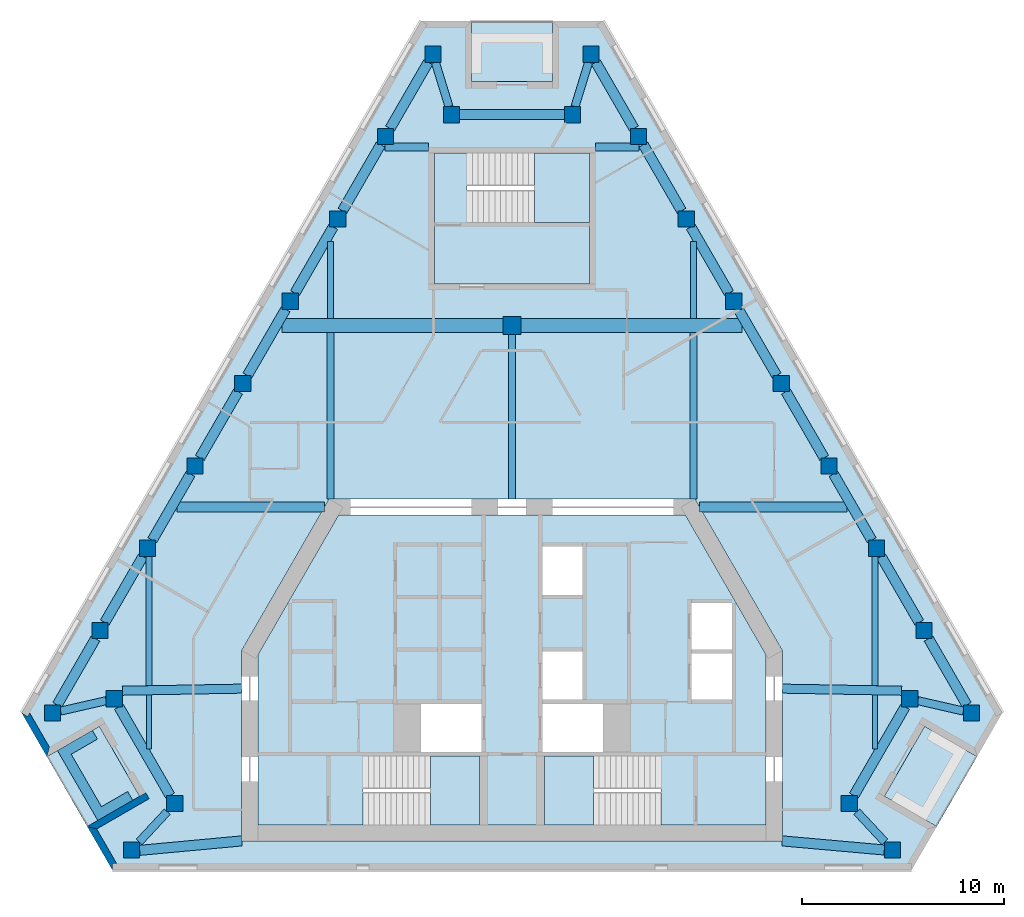
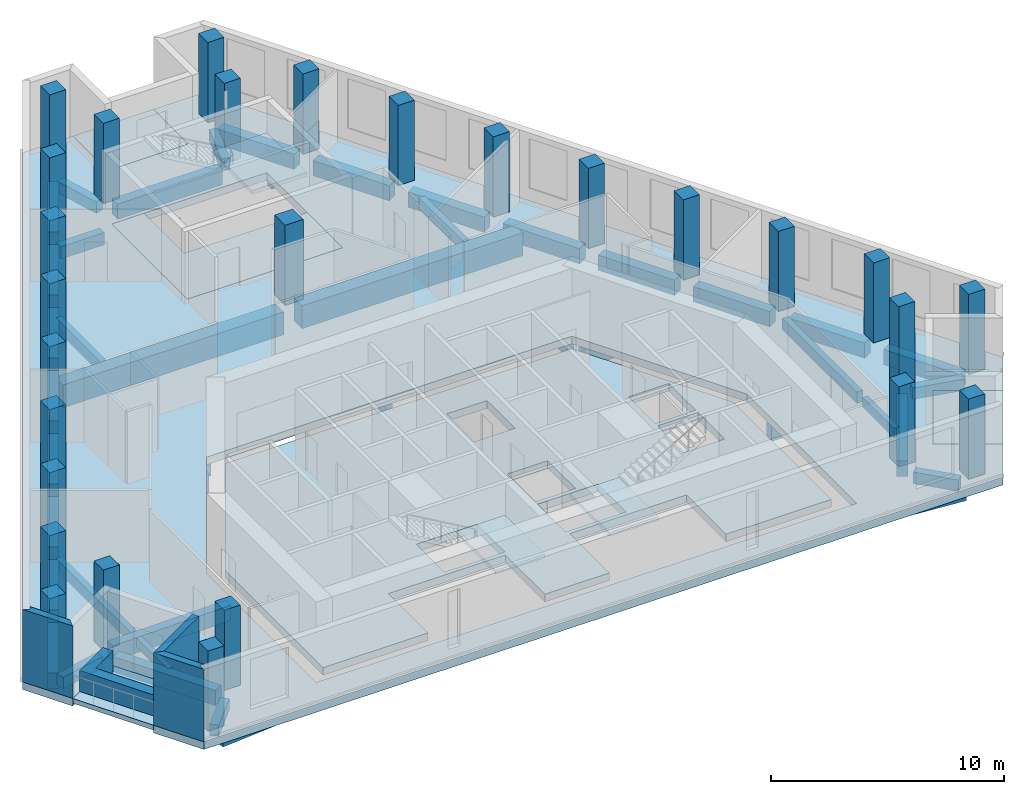
# One storey, part 1 of 8: 44 beams, 27 columns, 9 slabs, 4 walls, 3 elements without a shape of their own.
"""IFC4 building model written with IfcOpenShell, lengths in metres."""

from ifc_helpers import new_model, si_unit, direction, frame, origin, origin_2d, place, context, subcontext, project, spatial, polyline, rectangle, outline, extrude, material, layer, layer_set, material_profile, profile_set, type_object, element, aggregate, save


model = new_model("IFC4")

# Units and contexts
model_context = context("Model", 3, precision=1e-05, world=origin(), true_north=direction((0.0, 1.0)))
body_context = subcontext(model_context, "Body", "Model", "MODEL_VIEW")
ifc_project = project(units=[si_unit("LENGTHUNIT", "METRE"), si_unit("AREAUNIT", "SQUARE_METRE"), si_unit("VOLUMEUNIT", "CUBIC_METRE"), si_unit("PLANEANGLEUNIT", "RADIAN"), si_unit("MASSUNIT", "GRAM", prefix="KILO")], contexts=[model_context])

# Site, building, storey
site_placement = place(None, origin())
site = spatial("IfcSite", under=ifc_project, at=site_placement, CompositionType="ELEMENT")
building_placement = place(site_placement, origin())
building = spatial("IfcBuilding", under=site, at=building_placement, Name="Fogline Exchange Tower", CompositionType="ELEMENT")
storey_placement = place(building_placement, frame((0.0, 0.0, 322.5)))
storey = spatial("IfcBuildingStorey", under=building, at=storey_placement, Name="L73", CompositionType="ELEMENT", Elevation=322.5)

# Columns
ifc_material_1 = material(Name="Concrete C60", Category="concrete")
ifc_material_profile_1 = material_profile(ifc_material_1, rectangle(XDim=0.89990234375, YDim=0.89990234375, at=origin_2d()), Name="RC 900x900")
ifc_profile_set_1 = profile_set([ifc_material_profile_1], Name="Concrete C60")
column_type_1 = type_object("IfcColumnType", Name="C06", PredefinedType="COLUMN", material=ifc_profile_set_1)
column_placement = place(storey_placement, frame((0.0, 27.0, 0.0), z_axis=(0.0, 0.0, 1.0), x_axis=(1.0, 0.0, 0.0)))
element("IfcColumn", 1, at=column_placement, inside=storey, type_object=column_type_1, Name="IC-0-27", PredefinedType="COLUMN", context=body_context, shape_type="SweptSolid", body=[
    extrude(rectangle(XDim=0.89990234375, YDim=0.89990234375, at=origin_2d()), origin(), (0.0, 0.0, 1.0), 4.199951171875),
])
ifc_material_profile_2 = material_profile(ifc_material_1, rectangle(XDim=0.800048828125, YDim=0.800048828125, at=origin_2d()), Name="RC 800x800")
ifc_profile_set_2 = profile_set([ifc_material_profile_2], Name="Concrete C60")
column_type_2 = type_object("IfcColumnType", Name="C07", PredefinedType="COLUMN", material=ifc_profile_set_2)
for number, where, z_axis, x_axis, name in (
    (2, (-22.7802734375, 7.794189453125, 0.0), (0.0, 0.0, 1.0), (1.0, 0.0, 0.0), "SW-a"),
    (3, (-19.720947265625, 8.4951171875, 0.0), (0.0, 0.0, 1.0), (1.0, 0.0, 0.0), "SW-p4"),
    (4, (-16.720947265625, 3.299072265625, 0.0), (0.0, 0.0, 1.0), (1.0, 0.0, 0.0), "SW-p3"),
    (5, (-18.857666015625, 1.0, 0.0), (0.0, 0.0, 1.0), (1.0, 0.0, 0.0), "SW-b"),
    (6, (18.857666015625, 1.0, 0.0), (0.0, 0.0, 1.0), (1.0, 0.0, 0.0), "SE-a"),
    (7, (16.720947265625, 3.299072265625, 0.0), (0.0, 0.0, 1.0), (1.0, 0.0, 0.0), "SE-p4"),
    (8, (19.720947265625, 8.4951171875, 0.0), (0.0, 0.0, 1.0), (1.0, 0.0, 0.0), "SE-p3"),
    (9, (22.7802734375, 7.794189453125, 0.0), (0.0, 0.0, 1.0), (1.0, 0.0, 0.0), "SE-b"),
    (10, (20.423095703125, 11.876953125, 0.0), (0.0, 0.0, 1.0), (1.0, 0.0, 0.0), "E1"),
    (11, (18.06591796875, 15.959716796875, 0.0), (0.0, 0.0, 1.0), (1.0, 0.0, 0.0), "E2"),
    (12, (15.708740234375, 20.04248046875, 0.0), (0.0, 0.0, 1.0), (1.0, 0.0, 0.0), "E3"),
    (13, (13.3515625, 24.12548828125, 0.0), (0.0, 0.0, 1.0), (1.0, 0.0, 0.0), "E4"),
    (14, (10.994384765625, 28.208251953125, 0.0), (0.0, 0.0, 1.0), (1.0, 0.0, 0.0), "E5"),
    (15, (8.63720703125, 32.291015625, 0.0), (0.0, 0.0, 1.0), (1.0, 0.0, 0.0), "E6"),
    (16, (6.27978515625, 36.373779296875, 0.0), (0.0, 0.0, 1.0), (1.0, 0.0, 0.0), "E7"),
    (17, (3.922607421875, 40.456787109375, 0.0), (0.0, 0.0, 1.0), (1.0, 0.0, 0.0), "N-a"),
    (18, (3.0, 37.456787109375, 0.0), (0.0, 0.0, 1.0), (1.0, 0.0, 0.0), "N-p4"),
    (19, (-3.0, 37.456787109375, 0.0), (0.0, 0.0, 1.0), (1.0, 0.0, 0.0), "N-p3"),
    (20, (-3.922607421875, 40.456787109375, 0.0), (0.0, 0.0, 1.0), (1.0, 0.0, 0.0), "N-b"),
    (21, (-6.27978515625, 36.373779296875, 0.0), (0.0, 0.0, 1.0), (1.0, 0.0, 0.0), "W1"),
    (22, (-8.63720703125, 32.291015625, 0.0), (0.0, 0.0, 1.0), (1.0, 0.0, 0.0), "W2"),
    (23, (-10.994384765625, 28.208251953125, 0.0), (0.0, 0.0, 1.0), (1.0, 0.0, 0.0), "W3"),
    (24, (-13.3515625, 24.12548828125, 0.0), (0.0, 0.0, 1.0), (1.0, 0.0, 0.0), "W4"),
    (25, (-15.708740234375, 20.04248046875, 0.0), (0.0, 0.0, 1.0), (1.0, 0.0, 0.0), "W5"),
    (26, (-18.06591796875, 15.959716796875, 0.0), (0.0, 0.0, 1.0), (1.0, 0.0, 0.0), "W6"),
    (27, (-20.423095703125, 11.876953125, 0.0), (0.0, 0.0, 1.0), (1.0, 0.0, 0.0), "W7"),
):
    element("IfcColumn", number, at=place(storey_placement, frame(where, z_axis=z_axis, x_axis=x_axis)), inside=storey, type_object=column_type_2, Name=name, PredefinedType="COLUMN", context=body_context, shape_type="SweptSolid", body=[
        extrude(rectangle(XDim=0.800048828125, YDim=0.800048828125, at=origin_2d()), origin(), (0.0, 0.0, 1.0), 4.199951171875),
    ])

# Beams
ifc_material_2 = material(Name="Concrete C40", Category="concrete")
ifc_material_profile_3 = material_profile(ifc_material_2, rectangle(XDim=0.300048828125, YDim=0.60009765625, at=origin_2d()), Name="RC 300x600")
ifc_profile_set_3 = profile_set([ifc_material_profile_3], Name="Concrete C40")
beam_type_1 = type_object("IfcBeamType", Name="B06", PredefinedType="BEAM", material=ifc_profile_set_3)
beam_1_placement = place(storey_placement, frame((-18.0, 9.1435546875, -0.699951171875), z_axis=(0.0, 1.0, 0.0), x_axis=(-1.0, 0.0, 0.0)))
element("IfcBeam", 28, at=beam_1_placement, inside=storey, type_object=beam_type_1, Name="SB002", PredefinedType="BEAM", context=body_context, shape_type="SweptSolid", body=[
    extrude(rectangle(XDim=0.300048828125, YDim=0.60009765625, at=origin_2d()), origin(), (0.0, 0.0, 1.0), 6.416259765625),
])
for number, where, z_axis, x_axis, name in (
    (29, (-9.0, 27.35009765625, -0.699951171875), (0.0, 1.0, 0.0), (-1.0, 0.0, 0.0), "SB004"),
    (30, (9.0, 27.35009765625, -0.699951171875), (0.0, 1.0, 0.0), (-1.0, 0.0, 0.0), "SB007"),
):
    element("IfcBeam", number, at=place(storey_placement, frame(where, z_axis=z_axis, x_axis=x_axis)), inside=storey, type_object=beam_type_1, Name=name, PredefinedType="BEAM", context=body_context, shape_type="SweptSolid", body=[
        extrude(rectangle(XDim=0.300048828125, YDim=0.60009765625, at=origin_2d()), origin(), (0.0, 0.0, 1.0), 3.812255859375),
    ])
beam_2_placement = place(storey_placement, frame((18.0, 9.1435546875, -0.699951171875), z_axis=(0.0, 1.0, 0.0), x_axis=(-1.0, 0.0, 0.0)))
element("IfcBeam", 31, at=beam_2_placement, inside=storey, type_object=beam_type_1, Name="SB009", PredefinedType="BEAM", context=body_context, shape_type="SweptSolid", body=[
    extrude(rectangle(XDim=0.300048828125, YDim=0.60009765625, at=origin_2d()), origin(), (0.0, 0.0, 1.0), 6.416259765625),
])
ifc_material_profile_4 = material_profile(ifc_material_2, rectangle(XDim=0.25, YDim=0.5, at=origin_2d()), Name="RC 250x500")
ifc_profile_set_4 = profile_set([ifc_material_profile_4], Name="Concrete C40")
beam_type_2 = type_object("IfcBeamType", Name="B08", PredefinedType="BEAM", material=ifc_profile_set_4)
for number, where, z_axis, x_axis, name in (
    (32, (-18.0, 6.014404296875, -0.64990234375), (0.0, 1.0, 0.0), (-1.0, 0.0, 0.0), "SB001"),
    (33, (18.0, 6.014404296875, -0.64990234375), (0.0, 1.0, 0.0), (-1.0, 0.0, 0.0), "SB008"),
):
    element("IfcBeam", number, at=place(storey_placement, frame(where, z_axis=z_axis, x_axis=x_axis)), inside=storey, type_object=beam_type_2, Name=name, PredefinedType="BEAM", context=body_context, shape_type="SweptSolid", body=[
        extrude(rectangle(XDim=0.25, YDim=0.5, at=origin_2d()), origin(), (0.0, 0.0, 1.0), 2.67919921875),
    ])
ifc_material_profile_5 = material_profile(ifc_material_2, rectangle(XDim=0.5, YDim=0.800048828125, at=origin_2d()), Name="RC 500x800")
ifc_profile_set_5 = profile_set([ifc_material_profile_5], Name="Concrete C40")
beam_type_3 = type_object("IfcBeamType", Name="B10", PredefinedType="BEAM", material=ifc_profile_set_5)
beam_3_placement = place(storey_placement, frame((-19.489990234375, 8.09521484375, -0.800048828125), z_axis=(0.499987508774, -0.866032615477, 0.0), x_axis=(0.866032615477, 0.499987508774, 0.0)))
element("IfcBeam", 34, at=beam_3_placement, inside=storey, type_object=beam_type_3, Name="RB002", PredefinedType="BEAM", context=body_context, shape_type="SweptSolid", body=[
    extrude(rectangle(XDim=0.5, YDim=0.800048828125, at=origin_2d()), origin(), (0.0, 0.0, 1.0), 5.076416015625),
])
beam_4_placement = place(storey_placement, frame((-18.457763671875, 0.981689453125, -0.800048828125), z_axis=(0.995741736268, 0.092186737952, 0.0), x_axis=(-0.092186737952, 0.995741736268, 0.0)))
element("IfcBeam", 35, at=beam_4_placement, inside=storey, type_object=beam_type_3, Name="RB004", PredefinedType="BEAM", context=body_context, shape_type="SweptSolid", body=[
    extrude(rectangle(XDim=0.5, YDim=0.800048828125, at=origin_2d()), origin(), (0.0, 0.0, 1.0), 5.07958984375),
])
beam_5_placement = place(storey_placement, frame((13.39990234375, 1.449951171875, -0.800048828125), z_axis=(0.996066324908, -0.088610814153, 0.0), x_axis=(0.088610814153, 0.996066324908, 0.0)))
element("IfcBeam", 36, at=beam_5_placement, inside=storey, type_object=beam_type_3, Name="RB005", PredefinedType="BEAM", context=body_context, shape_type="SweptSolid", body=[
    extrude(rectangle(XDim=0.5, YDim=0.800048828125, at=origin_2d()), origin(), (0.0, 0.0, 1.0), 5.077880859375),
])
beam_6_placement = place(storey_placement, frame((16.951904296875, 3.698974609375, -0.800048828125), z_axis=(0.499987508774, 0.866032615477, 0.0), x_axis=(-0.866032615477, 0.499987508774, 0.0)))
element("IfcBeam", 37, at=beam_6_placement, inside=storey, type_object=beam_type_3, Name="RB007", PredefinedType="BEAM", context=body_context, shape_type="SweptSolid", body=[
    extrude(rectangle(XDim=0.5, YDim=0.800048828125, at=origin_2d()), origin(), (0.0, 0.0, 1.0), 5.076416015625),
])
beam_7_placement = place(storey_placement, frame((22.54931640625, 8.194091796875, -0.800048828125), z_axis=(-0.499969613651, 0.86604294664, 0.0), x_axis=(-0.86604294664, -0.499969613651, 0.0)))
element("IfcBeam", 38, at=beam_7_placement, inside=storey, type_object=beam_type_3, Name="RB009", PredefinedType="BEAM", context=body_context, shape_type="SweptSolid", body=[
    extrude(rectangle(XDim=0.5, YDim=0.800048828125, at=origin_2d()), origin(), (0.0, 0.0, 1.0), 3.790771484375),
])
for number, where, z_axis, x_axis, name in (
    (39, (20.192138671875, 12.277099609375, -0.800048828125), (-0.499997501644, 0.866026846206, 0.0), (-0.866026846206, -0.499997501644, 0.0), "RB010"),
    (40, (17.8349609375, 16.35986328125, -0.800048828125), (-0.499997501644, 0.866026846206, 0.0), (-0.866026846206, -0.499997501644, 0.0), "RB011"),
    (41, (15.477783203125, 20.442626953125, -0.800048828125), (-0.499997501644, 0.866026846206, 0.0), (-0.866026846206, -0.499997501644, 0.0), "RB012"),
):
    element("IfcBeam", number, at=place(storey_placement, frame(where, z_axis=z_axis, x_axis=x_axis)), inside=storey, type_object=beam_type_3, Name=name, PredefinedType="BEAM", context=body_context, shape_type="SweptSolid", body=[
        extrude(rectangle(XDim=0.5, YDim=0.800048828125, at=origin_2d()), origin(), (0.0, 0.0, 1.0), 3.79052734375),
    ])
for number, where, z_axis, x_axis, name in (
    (42, (13.12060546875, 24.525390625, -0.800048828125), (-0.500045805297, 0.865998956469, 0.0), (-0.865998956469, -0.500045805297, 0.0), "RB013"),
    (43, (10.76318359375, 28.608154296875, -0.800048828125), (-0.499969613651, 0.86604294664, 0.0), (-0.86604294664, -0.499969613651, 0.0), "RB014"),
    (44, (8.406005859375, 32.69091796875, -0.800048828125), (-0.499969613651, 0.86604294664, 0.0), (-0.86604294664, -0.499969613651, 0.0), "RB015"),
    (45, (6.048828125, 36.773681640625, -0.800048828125), (-0.499969613651, 0.86604294664, 0.0), (-0.86604294664, -0.499969613651, 0.0), "RB016"),
):
    element("IfcBeam", number, at=place(storey_placement, frame(where, z_axis=z_axis, x_axis=x_axis)), inside=storey, type_object=beam_type_3, Name=name, PredefinedType="BEAM", context=body_context, shape_type="SweptSolid", body=[
        extrude(rectangle(XDim=0.5, YDim=0.800048828125, at=origin_2d()), origin(), (0.0, 0.0, 1.0), 3.790771484375),
    ])
beam_8_placement = place(storey_placement, frame((2.60009765625, 37.456787109375, -0.800048828125), z_axis=(-1.0, 0.0, 0.0), x_axis=(0.0, -1.0, 0.0)))
element("IfcBeam", 46, at=beam_8_placement, inside=storey, type_object=beam_type_3, Name="RB018", PredefinedType="BEAM", context=body_context, shape_type="SweptSolid", body=[
    extrude(rectangle(XDim=0.5, YDim=0.800048828125, at=origin_2d()), origin(), (0.0, 0.0, 1.0), 5.2001953125),
])
for number, where, z_axis, x_axis, name in (
    (47, (-4.153564453125, 40.056640625, -0.800048828125), (-0.499969613651, -0.86604294664, 0.0), (0.86604294664, -0.499969613651, 0.0), "RB020"),
    (48, (-6.5107421875, 35.973876953125, -0.800048828125), (-0.499969613651, -0.86604294664, 0.0), (0.86604294664, -0.499969613651, 0.0), "RB021"),
    (49, (-8.867919921875, 31.89111328125, -0.800048828125), (-0.499969613651, -0.86604294664, 0.0), (0.86604294664, -0.499969613651, 0.0), "RB022"),
    (50, (-11.22509765625, 27.80810546875, -0.800048828125), (-0.500045805297, -0.865998956469, 0.0), (0.865998956469, -0.500045805297, 0.0), "RB023"),
):
    element("IfcBeam", number, at=place(storey_placement, frame(where, z_axis=z_axis, x_axis=x_axis)), inside=storey, type_object=beam_type_3, Name=name, PredefinedType="BEAM", context=body_context, shape_type="SweptSolid", body=[
        extrude(rectangle(XDim=0.5, YDim=0.800048828125, at=origin_2d()), origin(), (0.0, 0.0, 1.0), 3.790771484375),
    ])
for number, where, z_axis, x_axis, name in (
    (51, (-13.58251953125, 23.725341796875, -0.800048828125), (-0.499997501644, -0.866026846206, 0.0), (0.866026846206, -0.499997501644, 0.0), "RB024"),
    (52, (-15.939697265625, 19.642578125, -0.800048828125), (-0.499997501644, -0.866026846206, 0.0), (0.866026846206, -0.499997501644, 0.0), "RB025"),
    (53, (-18.296875, 15.559814453125, -0.800048828125), (-0.499997501644, -0.866026846206, 0.0), (0.866026846206, -0.499997501644, 0.0), "RB026"),
):
    element("IfcBeam", number, at=place(storey_placement, frame(where, z_axis=z_axis, x_axis=x_axis)), inside=storey, type_object=beam_type_3, Name=name, PredefinedType="BEAM", context=body_context, shape_type="SweptSolid", body=[
        extrude(rectangle(XDim=0.5, YDim=0.800048828125, at=origin_2d()), origin(), (0.0, 0.0, 1.0), 3.79052734375),
    ])
beam_9_placement = place(storey_placement, frame((-20.654052734375, 11.47705078125, -0.800048828125), z_axis=(-0.499969613651, -0.86604294664, 0.0), x_axis=(0.86604294664, -0.499969613651, 0.0)))
element("IfcBeam", 54, at=beam_9_placement, inside=storey, type_object=beam_type_3, Name="RB027", PredefinedType="BEAM", context=body_context, shape_type="SweptSolid", body=[
    extrude(rectangle(XDim=0.5, YDim=0.800048828125, at=origin_2d()), origin(), (0.0, 0.0, 1.0), 3.790771484375),
])
ifc_material_profile_6 = material_profile(ifc_material_2, rectangle(XDim=0.39990234375, YDim=0.60009765625, at=origin_2d()), Name="RC 400x600")
ifc_profile_set_6 = profile_set([ifc_material_profile_6], Name="Concrete C40")
beam_type_4 = type_object("IfcBeamType", Name="B11", PredefinedType="BEAM", material=ifc_profile_set_6)
beam_10_placement = place(storey_placement, frame((-22.38037109375, 7.885986328125, -0.699951171875), z_axis=(0.974753812703, 0.223282342834, 0.0), x_axis=(-0.223282342834, 0.974753812703, 0.0)))
element("IfcBeam", 55, at=beam_10_placement, inside=storey, type_object=beam_type_4, Name="RB001", PredefinedType="BEAM", context=body_context, shape_type="SweptSolid", body=[
    extrude(rectangle(XDim=0.39990234375, YDim=0.60009765625, at=origin_2d()), origin(), (0.0, 0.0, 1.0), 2.318115234375),
])
for number, where, z_axis, x_axis, name in (
    (56, (-17.0927734375, 2.89892578125, -0.699951171875), (-0.680743909802, -0.732521487239, 0.0), (0.732521487239, -0.680743909802, 0.0), "RB003"),
    (57, (18.48583984375, 1.39990234375, -0.699951171875), (-0.680743909802, 0.732521487239, 0.0), (-0.732521487239, -0.680743909802, 0.0), "RB006"),
):
    element("IfcBeam", number, at=place(storey_placement, frame(where, z_axis=z_axis, x_axis=x_axis)), inside=storey, type_object=beam_type_4, Name=name, PredefinedType="BEAM", context=body_context, shape_type="SweptSolid", body=[
        extrude(rectangle(XDim=0.39990234375, YDim=0.60009765625, at=origin_2d()), origin(), (0.0, 0.0, 1.0), 2.04638671875),
    ])
beam_11_placement = place(storey_placement, frame((20.120849609375, 8.403564453125, -0.699951171875), z_axis=(0.974753812703, -0.223282342834, 0.0), x_axis=(0.223282342834, 0.974753812703, 0.0)))
element("IfcBeam", 58, at=beam_11_placement, inside=storey, type_object=beam_type_4, Name="RB008", PredefinedType="BEAM", context=body_context, shape_type="SweptSolid", body=[
    extrude(rectangle(XDim=0.39990234375, YDim=0.60009765625, at=origin_2d()), origin(), (0.0, 0.0, 1.0), 2.318115234375),
])
for number, where, z_axis, x_axis, name in (
    (59, (3.799560546875, 40.056640625, -0.699951171875), (-0.293929314998, -0.955827158949, 0.0), (0.955827158949, -0.293929314998, 0.0), "RB017"),
    (60, (-3.123046875, 37.856689453125, -0.699951171875), (-0.293929314998, 0.955827158949, 0.0), (-0.955827158949, -0.293929314998, 0.0), "RB019"),
):
    element("IfcBeam", number, at=place(storey_placement, frame(where, z_axis=z_axis, x_axis=x_axis)), inside=storey, type_object=beam_type_4, Name=name, PredefinedType="BEAM", context=body_context, shape_type="SweptSolid", body=[
        extrude(rectangle(XDim=0.39990234375, YDim=0.60009765625, at=origin_2d()), origin(), (0.0, 0.0, 1.0), 2.301513671875),
    ])
ifc_material_profile_7 = material_profile(ifc_material_2, rectangle(XDim=0.39990234375, YDim=0.64990234375, at=origin_2d()), Name="RC 400x650")
ifc_profile_set_7 = profile_set([ifc_material_profile_7], Name="Concrete C40")
beam_type_5 = type_object("IfcBeamType", Name="B13", PredefinedType="BEAM", material=ifc_profile_set_7)
for number, where, z_axis, x_axis, name in (
    (61, (-6.308349609375, 35.85693359375, -0.72509765625), (1.0, 0.0, 0.0), (0.0, 1.0, 0.0), "GB007"),
    (62, (4.14990234375, 35.85693359375, -0.72509765625), (1.0, 0.0, 0.0), (0.0, 1.0, 0.0), "GB008"),
):
    element("IfcBeam", number, at=place(storey_placement, frame(where, z_axis=z_axis, x_axis=x_axis)), inside=storey, type_object=beam_type_5, Name=name, PredefinedType="BEAM", context=body_context, shape_type="SweptSolid", body=[
        extrude(rectangle(XDim=0.39990234375, YDim=0.64990234375, at=origin_2d()), origin(), (0.0, 0.0, 1.0), 2.158447265625),
    ])
ifc_material_profile_8 = material_profile(ifc_material_2, rectangle(XDim=0.5, YDim=0.949951171875, at=origin_2d()), Name="RC 500x950")
ifc_profile_set_8 = profile_set([ifc_material_profile_8], Name="Concrete C40")
beam_type_6 = type_object("IfcBeamType", Name="B14", PredefinedType="BEAM", material=ifc_profile_set_8)
for number, where, z_axis, x_axis, name in (
    (63, (-16.599365234375, 18.0, -0.875), (1.0, 0.0, 0.0), (0.0, 1.0, 0.0), "GB003"),
    (64, (9.296142578125, 18.0, -0.875), (1.0, 0.0, 0.0), (0.0, 1.0, 0.0), "GB004"),
):
    element("IfcBeam", number, at=place(storey_placement, frame(where, z_axis=z_axis, x_axis=x_axis)), inside=storey, type_object=beam_type_6, Name=name, PredefinedType="BEAM", context=body_context, shape_type="SweptSolid", body=[
        extrude(rectangle(XDim=0.5, YDim=0.949951171875, at=origin_2d()), origin(), (0.0, 0.0, 1.0), 7.30322265625),
    ])
ifc_material_profile_9 = material_profile(ifc_material_2, rectangle(XDim=0.35009765625, YDim=0.64990234375, at=origin_2d()), Name="RC 350x650")
ifc_profile_set_9 = profile_set([ifc_material_profile_9], Name="Concrete C40")
beam_type_7 = type_object("IfcBeamType", Name="B16", PredefinedType="BEAM", material=ifc_profile_set_9)
beam_12_placement = place(storey_placement, frame((-9.0, 18.39990234375, -0.72509765625), z_axis=(0.0, 1.0, 0.0), x_axis=(-1.0, 0.0, 0.0)))
element("IfcBeam", 65, at=beam_12_placement, inside=storey, type_object=beam_type_7, Name="SB003", PredefinedType="BEAM", context=body_context, shape_type="SweptSolid", body=[
    extrude(rectangle(XDim=0.35009765625, YDim=0.64990234375, at=origin_2d()), origin(), (0.0, 0.0, 1.0), 8.25),
])
beam_13_placement = place(storey_placement, frame((0.0, 18.39990234375, -0.72509765625), z_axis=(0.0, 1.0, 0.0), x_axis=(-1.0, 0.0, 0.0)))
element("IfcBeam", 66, at=beam_13_placement, inside=storey, type_object=beam_type_7, Name="SB005", PredefinedType="BEAM", context=body_context, shape_type="SweptSolid", body=[
    extrude(rectangle(XDim=0.35009765625, YDim=0.64990234375, at=origin_2d()), origin(), (0.0, 0.0, 1.0), 8.150146484375),
])
beam_14_placement = place(storey_placement, frame((9.0, 18.39990234375, -0.72509765625), z_axis=(0.0, 1.0, 0.0), x_axis=(-1.0, 0.0, 0.0)))
element("IfcBeam", 67, at=beam_14_placement, inside=storey, type_object=beam_type_7, Name="SB006", PredefinedType="BEAM", context=body_context, shape_type="SweptSolid", body=[
    extrude(rectangle(XDim=0.35009765625, YDim=0.64990234375, at=origin_2d()), origin(), (0.0, 0.0, 1.0), 8.25),
])
ifc_material_profile_10 = material_profile(ifc_material_2, rectangle(XDim=0.699951171875, YDim=1.199951171875, at=origin_2d()), Name="RC 700x1200")
ifc_profile_set_10 = profile_set([ifc_material_profile_10], Name="Concrete C40")
beam_type_8 = type_object("IfcBeamType", Name="B17", PredefinedType="BEAM", material=ifc_profile_set_10)
for number, where, z_axis, x_axis, name in (
    (68, (-11.4033203125, 27.0, -1.0), (1.0, 0.0, 0.0), (0.0, 1.0, 0.0), "GB005"),
    (69, (0.449951171875, 27.0, -1.0), (1.0, 0.0, 0.0), (0.0, 1.0, 0.0), "GB006"),
):
    element("IfcBeam", number, at=place(storey_placement, frame(where, z_axis=z_axis, x_axis=x_axis)), inside=storey, type_object=beam_type_8, Name=name, PredefinedType="BEAM", context=body_context, shape_type="SweptSolid", body=[
        extrude(rectangle(XDim=0.699951171875, YDim=1.199951171875, at=origin_2d()), origin(), (0.0, 0.0, 1.0), 10.953369140625),
    ])
ifc_material_profile_11 = material_profile(ifc_material_2, rectangle(XDim=0.449951171875, YDim=0.800048828125, at=origin_2d()), Name="RC 450x800")
ifc_profile_set_11 = profile_set([ifc_material_profile_11], Name="Concrete C40")
beam_type_9 = type_object("IfcBeamType", Name="B18", PredefinedType="BEAM", material=ifc_profile_set_11)
for number, where, z_axis, x_axis, name in (
    (70, (-19.32080078125, 8.895263671875, -0.800048828125), (0.9998435817, 0.017686495817, 0.0), (-0.017686495817, 0.9998435817, 0.0), "GB001"),
    (71, (13.39990234375, 9.0, -0.800048828125), (0.9998435817, -0.017686495817, 0.0), (0.017686495817, 0.9998435817, 0.0), "GB002"),
):
    element("IfcBeam", number, at=place(storey_placement, frame(where, z_axis=z_axis, x_axis=x_axis)), inside=storey, type_object=beam_type_9, Name=name, PredefinedType="BEAM", context=body_context, shape_type="SweptSolid", body=[
        extrude(rectangle(XDim=0.449951171875, YDim=0.800048828125, at=origin_2d()), origin(), (0.0, 0.0, 1.0), 5.921875),
    ])

# Slabs
ifc_layer_1 = layer(ifc_material_2, 0.25)
ifc_layer_set_1 = layer_set([ifc_layer_1], Name="DK1")
slab_type_1 = type_object("IfcSlabType", Name="DK1", PredefinedType="FLOOR", material=ifc_layer_set_1)
slab_1_placement = place(storey_placement, frame((0.0, 0.0, -0.25)))
element("IfcSlab", 72, at=slab_1_placement, inside=storey, type_object=slab_type_1, Name="Balcony L73 SW", PredefinedType="FLOOR", context=body_context, shape_type="SweptSolid", body=[
    extrude(outline(polyline([(-23.057373046875, 5.629150390625), (-21.057373046875, 2.1650390625), (-18.459228515625, 3.6650390625), (-20.459228515625, 7.129150390625), (-23.057373046875, 5.629150390625)])), origin(), (0.0, 0.0, 1.0), 0.25),
])
slab_2_placement = place(storey_placement, frame((0.0, 0.0, -0.25)))
element("IfcSlab", 73, at=slab_2_placement, inside=storey, type_object=slab_type_1, Name="Balcony L73 SE", PredefinedType="FLOOR", context=body_context, shape_type="SweptSolid", body=[
    extrude(outline(polyline([(21.057373046875, 2.1650390625), (23.057373046875, 5.629150390625), (20.459228515625, 7.129150390625), (18.459228515625, 3.6650390625), (21.057373046875, 2.1650390625)])), origin(), (0.0, 0.0, 1.0), 0.25),
])
slab_3_placement = place(storey_placement, frame((0.0, 0.0, -0.25)))
element("IfcSlab", 74, at=slab_3_placement, inside=storey, type_object=slab_type_1, Name="Balcony L73 N", PredefinedType="FLOOR", context=body_context, shape_type="SweptSolid", body=[
    extrude(outline(polyline([(2.0, 42.101806640625), (-2.0, 42.101806640625), (-2.0, 39.101806640625), (2.0, 39.101806640625), (2.0, 42.101806640625)])), origin(), (0.0, 0.0, 1.0), 0.25),
])
ifc_layer_2 = layer(ifc_material_2, 0.39990234375)
ifc_layer_set_2 = layer_set([ifc_layer_2], Name="S03")
slab_type_2 = type_object("IfcSlabType", Name="S03", PredefinedType="FLOOR", material=ifc_layer_set_2)
slab_4_placement = place(storey_placement, frame((0.0, 0.0, -0.39990234375)))
element("IfcSlab", 75, at=slab_4_placement, inside=storey, type_object=slab_type_2, Name="SLAB L73", PredefinedType="FLOOR", context=body_context, shape_type="SweptSolid", body=[
    extrude(outline(polyline([(-2.0, 42.101806640625), (-4.5, 42.101806640625), (-24.307373046875, 7.794189453125), (-23.057373046875, 5.629150390625), (-20.459228515625, 7.129150390625), (-18.459228515625, 3.6650390625), (-21.057373046875, 2.1650390625), (-19.807373046875, 0.0), (19.807373046875, 0.0), (21.057373046875, 2.1650390625), (18.459228515625, 3.6650390625), (20.459228515625, 7.129150390625), (23.057373046875, 5.629150390625), (24.307373046875, 7.794189453125), (4.5, 42.101806640625), (2.0, 42.101806640625), (2.0, 39.101806640625), (-2.0, 39.101806640625), (-2.0, 42.101806640625)]), holes=[polyline([(13.39990234375, 10.891845703125), (13.39990234375, 1.449951171875), (-13.39990234375, 1.449951171875), (-13.39990234375, 10.891845703125), (-9.065185546875, 18.39990234375), (9.065185546875, 18.39990234375), (13.39990234375, 10.891845703125)]), polyline([(3.85009765625, 35.556884765625), (3.85009765625, 29.056884765625), (-3.85009765625, 29.056884765625), (-3.85009765625, 35.556884765625), (3.85009765625, 35.556884765625)])]), origin(), (0.0, 0.0, 1.0), 0.39990234375),
])
slab_5_placement = place(storey_placement, frame((0.0, 0.0, -0.39990234375)))
element("IfcSlab", 76, at=slab_5_placement, inside=storey, type_object=slab_type_2, Name="Core floor slab", PredefinedType="FLOOR", context=body_context, shape_type="SweptSolid", body=[
    extrude(outline(polyline([(-12.60009765625, 2.25), (-12.60009765625, 10.677490234375), (-8.603271484375, 17.60009765625), (8.603271484375, 17.60009765625), (12.60009765625, 10.677490234375), (12.60009765625, 2.25), (7.389892578125, 2.25), (7.389892578125, 5.64990234375), (1.60009765625, 5.64990234375), (1.60009765625, 2.25), (-1.60009765625, 2.25), (-1.60009765625, 5.64990234375), (-7.389892578125, 5.64990234375), (-7.389892578125, 2.25), (-12.60009765625, 2.25)]), holes=[polyline([(-4.5, 8.25), (-4.5, 5.85009765625), (-1.5, 5.85009765625), (-1.5, 8.25), (-4.5, 8.25)]), polyline([(1.5, 8.25), (1.5, 5.85009765625), (4.5, 5.85009765625), (4.5, 8.25), (1.5, 8.25)]), polyline([(8.89990234375, 10.75), (8.89990234375, 8.449951171875), (10.89990234375, 8.449951171875), (10.89990234375, 10.75), (8.89990234375, 10.75)]), polyline([(1.5, 10.85009765625), (1.5, 8.449951171875), (3.5, 8.449951171875), (3.5, 10.85009765625), (1.5, 10.85009765625)]), polyline([(8.89990234375, 13.25), (8.89990234375, 10.949951171875), (10.89990234375, 10.949951171875), (10.89990234375, 13.25), (8.89990234375, 13.25)]), polyline([(1.5, 16.050048828125), (1.5, 13.64990234375), (3.5, 13.64990234375), (3.5, 16.050048828125), (1.5, 16.050048828125)])]), origin(), (0.0, 0.0, 1.0), 0.39990234375),
])
slab_6_placement = place(storey_placement, frame((0.0, 0.0, -0.39990234375)))
element("IfcSlab", 77, at=slab_6_placement, inside=storey, type_object=slab_type_2, Name="Stair enclosure floor slab", PredefinedType="FLOOR", context=body_context, shape_type="SweptSolid", body=[
    extrude(outline(polyline([(3.85009765625, 29.056884765625), (-3.85009765625, 29.056884765625), (-3.85009765625, 35.556884765625), (-2.239990234375, 35.556884765625), (-2.239990234375, 32.10693359375), (3.85009765625, 32.10693359375), (3.85009765625, 29.056884765625)])), origin(), (0.0, 0.0, 1.0), 0.39990234375),
])

# Stair, slab
stair_type = type_object("IfcStairType", Name="STR26-1615", PredefinedType="HALF_TURN_STAIR", material=ifc_material_2)
stair_1_placement = place(storey_placement, origin())
stair_1 = element("IfcStair", 78, at=stair_1_placement, inside=storey, type_object=stair_type, Name="Stair ST1", PredefinedType="HALF_TURN_STAIR")
ifc_layer_3 = layer(ifc_material_2, 0.199951171875)
ifc_layer_set_3 = layer_set([ifc_layer_3], Name="SL200")
slab_type_3 = type_object("IfcSlabType", Name="SL200", PredefinedType="LANDING", material=ifc_layer_set_3)
slab_7_placement = place(storey_placement, frame((0.0, 0.0, 1.89990234375)))
slab_7 = element("IfcSlab", 79, at=slab_7_placement, type_object=slab_type_3, Name="ST1 landing 1", PredefinedType="LANDING", context=body_context, shape_type="SweptSolid", body=[
    extrude(outline(polyline([(-4.0400390625, 2.25), (-1.60009765625, 2.25), (-1.60009765625, 5.64990234375), (-4.0400390625, 5.64990234375), (-4.0400390625, 2.25)])), origin(), (0.0, 0.0, 1.0), 0.2001953125),
])
aggregate(stair_1, [slab_7])

stair_2_placement = place(storey_placement, origin())
stair_2 = element("IfcStair", 80, at=stair_2_placement, inside=storey, type_object=stair_type, Name="Stair ST2", PredefinedType="HALF_TURN_STAIR")
slab_8_placement = place(storey_placement, frame((0.0, 0.0, 1.89990234375)))
slab_8 = element("IfcSlab", 81, at=slab_8_placement, type_object=slab_type_3, Name="ST2 landing 1", PredefinedType="LANDING", context=body_context, shape_type="SweptSolid", body=[
    extrude(outline(polyline([(1.60009765625, 2.25), (4.0400390625, 2.25), (4.0400390625, 5.64990234375), (1.60009765625, 5.64990234375), (1.60009765625, 2.25)])), origin(), (0.0, 0.0, 1.0), 0.2001953125),
])
aggregate(stair_2, [slab_8])

stair_3_placement = place(storey_placement, origin())
stair_3 = element("IfcStair", 82, at=stair_3_placement, inside=storey, type_object=stair_type, Name="Stair ST3", PredefinedType="HALF_TURN_STAIR")
slab_9_placement = place(storey_placement, frame((0.0, 0.0, 1.89990234375)))
slab_9 = element("IfcSlab", 83, at=slab_9_placement, type_object=slab_type_3, Name="ST3 landing 1", PredefinedType="LANDING", context=body_context, shape_type="SweptSolid", body=[
    extrude(outline(polyline([(1.110107421875, 32.10693359375), (3.85009765625, 32.10693359375), (3.85009765625, 35.556884765625), (1.110107421875, 35.556884765625), (1.110107421875, 32.10693359375)])), origin(), (0.0, 0.0, 1.0), 0.2001953125),
])
aggregate(stair_3, [slab_9])

# Walls
ifc_material_3 = material(Name="Brick masonry", Category="masonry")
ifc_layer_4 = layer(ifc_material_3, 0.340087890625)
ifc_layer_set_4 = layer_set([ifc_layer_4], Name="FW1")
wall_type_1 = type_object("IfcWallType", Name="FW1", PredefinedType="SOLIDWALL", material=ifc_layer_set_4)
wall_1_placement = place(storey_placement, origin())
element("IfcWall", 84, at=wall_1_placement, inside=storey, type_object=wall_type_1, Name="Brick wall L73 SW-c1", PredefinedType="SOLIDWALL", context=body_context, shape_type="SweptSolid", body=[
    extrude(outline(polyline([(-23.057373046875, 5.6279296875), (-24.308349609375, 7.794921875), (-24.30810546875, 7.79541015625), (-24.01318359375, 7.625), (-23.914794921875, 7.79541015625), (-22.932373046875, 6.09375), (-23.05712890625, 5.6279296875), (-23.057373046875, 5.6279296875)])), origin(), (0.0, 0.0, 1.0), 3.800048828125),
])
wall_2_placement = place(storey_placement, origin())
element("IfcWall", 85, at=wall_2_placement, inside=storey, type_object=wall_type_1, Name="Brick wall L73 SW-s2", PredefinedType="SOLIDWALL", context=body_context, shape_type="SweptSolid", body=[
    extrude(outline(polyline([(-21.05859375, 2.1650390625), (-18.459716796875, 3.66552734375), (-18.16455078125, 3.8359375), (-17.994140625, 3.540283203125), (-20.5927734375, 2.0400390625), (-21.05859375, 2.164794921875), (-21.05859375, 2.1650390625)])), origin(), (0.0, 0.0, 1.0), 3.800048828125),
])
wall_3_placement = place(storey_placement, origin())
element("IfcWall", 86, at=wall_3_placement, inside=storey, type_object=wall_type_1, Name="Brick wall L73 SW-c2", PredefinedType="SOLIDWALL", context=body_context, shape_type="SweptSolid", body=[
    extrude(outline(polyline([(-19.610107421875, 0.33935546875), (-19.806884765625, 0.33935546875), (-19.806884765625, -0.0009765625), (-19.807373046875, -0.001220703125), (-21.058349609375, 2.165771484375), (-21.058349609375, 2.166015625), (-20.592529296875, 2.041015625), (-19.610107421875, 0.33935546875)])), origin(), (0.0, 0.0, 1.0), 3.800048828125),
])
ifc_material_4 = material(Name="Concrete C30", Category="concrete")
ifc_layer_5 = layer(ifc_material_4, 0.199951171875)
ifc_layer_set_5 = layer_set([ifc_layer_5], Name="PL1")
wall_type_2 = type_object("IfcWallType", Name="PL1", PredefinedType="USERDEFINED", material=ifc_layer_set_5)
wall_4_placement = place(storey_placement, origin())
element("IfcWall", 87, at=wall_4_placement, inside=storey, type_object=wall_type_2, Name="PLANTER balcony L73 SW", ObjectType="PLANTER", PredefinedType="USERDEFINED", context=body_context, shape_type="SweptSolid", body=[
    extrude(outline(polyline([(-19.0556640625, 3.898193359375), (-20.354736328125, 3.148193359375), (-21.854736328125, 5.74609375), (-20.5556640625, 6.49609375), (-20.8056640625, 6.92919921875), (-22.537841796875, 5.92919921875), (-22.287841796875, 5.49609375), (-20.537841796875, 2.465087890625), (-20.104736328125, 2.715087890625), (-20.104736328125, 2.715087890625), (-18.8056640625, 3.465087890625), (-19.0556640625, 3.898193359375)])), origin(), (0.0, 0.0, 1.0), 1.10009765625),
])

save(model, "model.ifc")
